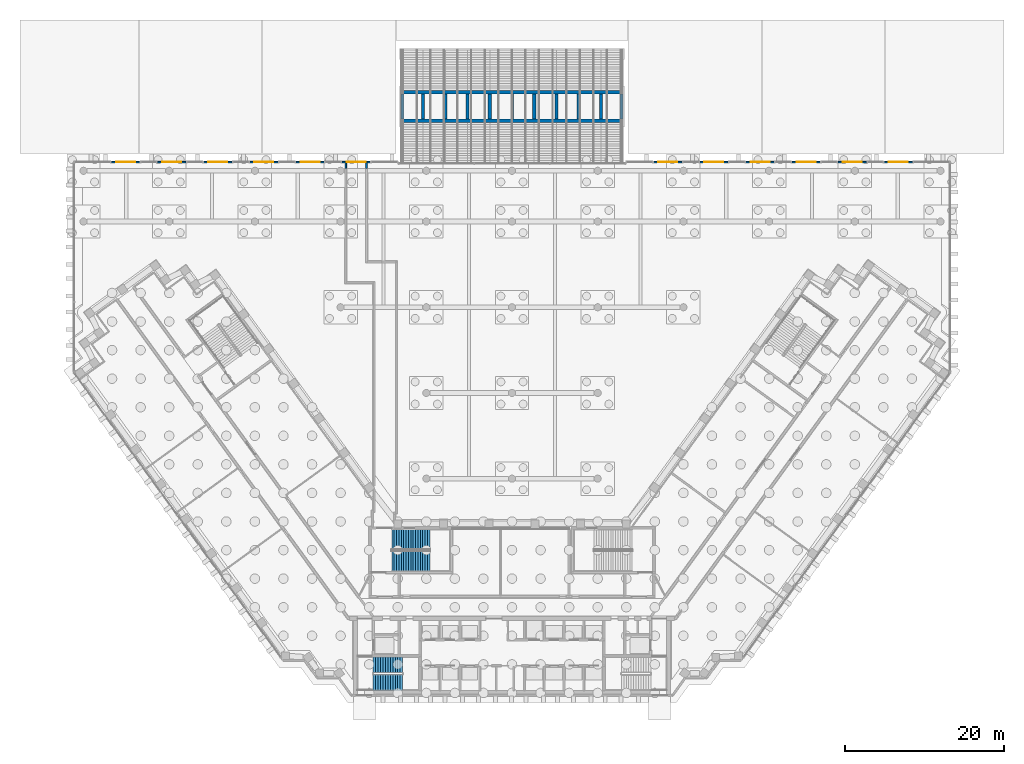
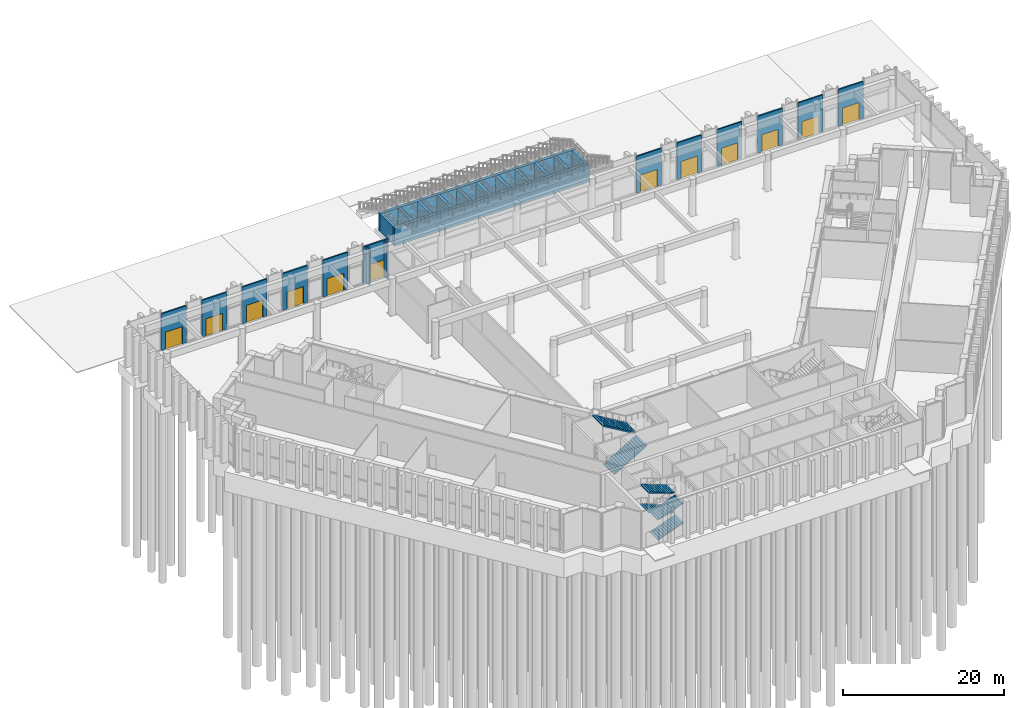
# One storey, part 22 of 32: 27 walls, 12 doors, 6 stair flights, 12 openings, 2 elements without a shape of their own.
"""IFC4 building model written with IfcOpenShell, lengths in metres."""

from ifc_helpers import new_model, si_unit, direction, frame, frame_2d, origin, place, context, subcontext, project, spatial, polyline, rectangle, outline, extrude, material, layer, layer_set, type_object, element, fill, aggregate, save


model = new_model("IFC4")

# Units and contexts
model_context = context("Model", 3, precision=1e-05, world=origin(), true_north=direction((0.0, 1.0)))
body_context = subcontext(model_context, "Body", "Model", "MODEL_VIEW")
ifc_project = project(units=[si_unit("LENGTHUNIT", "METRE"), si_unit("AREAUNIT", "SQUARE_METRE"), si_unit("VOLUMEUNIT", "CUBIC_METRE"), si_unit("PLANEANGLEUNIT", "RADIAN"), si_unit("MASSUNIT", "GRAM", prefix="KILO")], contexts=[model_context])

# Site, building, storey
site_placement = place(None, origin())
site = spatial("IfcSite", under=ifc_project, at=site_placement, CompositionType="ELEMENT")
building_placement = place(site_placement, origin())
building = spatial("IfcBuilding", under=site, at=building_placement, Name="Quipu Civic Tower", CompositionType="ELEMENT")
storey_placement = place(building_placement, origin())
storey = spatial("IfcBuildingStorey", under=building, at=storey_placement, Name="L00", CompositionType="ELEMENT", Elevation=0.0)

# Walls
ifc_material_1 = material(Name="Concrete C40/50", Category="concrete")
ifc_layer_1 = layer(ifc_material_1, 0.199951171875)
ifc_layer_set_1 = layer_set([ifc_layer_1], Name="Concrete C40/50")
wall_type_1 = type_object("IfcWallType", Name="Exit passage wall 200", PredefinedType="SOLIDWALL", material=ifc_layer_set_1)
for number, where, z_axis, x_axis, name in (
    (1, (-20.93994140625, 55.300048828125, 0.0), (0.0, 0.0, 1.0), (0.0, 1.0, 0.0), "Exit passage 3 wall"),
    (2, (-18.340087890625, 55.300048828125, 0.0), (0.0, 0.0, 1.0), (0.0, 1.0, 0.0), "Exit passage 3 wall"),
):
    element("IfcWall", number, at=place(storey_placement, frame(where, z_axis=z_axis, x_axis=x_axis)), inside=storey, type_object=wall_type_1, Name=name, PredefinedType="SOLIDWALL", context=body_context, shape_type="SweptSolid", body=[
        extrude(rectangle(XDim=0.699951171875, YDim=0.199951171875, at=frame_2d((0.35009765625, 0.0))), origin(), (0.0, 0.0, 1.0), 5.60009765625),
    ])

# Wall, opening, door
ifc_material_2 = material(Name="Precast concrete C40/50", Category="concrete")
wall_type_2 = type_object("IfcWallType", Name="Precast door surround", PredefinedType="SOLIDWALL", material=ifc_material_2)
wall_1_placement = place(storey_placement, frame((46.885009765625, 56.10009765625, 0.0), z_axis=(0.0, 0.0, 1.0), x_axis=(1.0, 0.0, 0.0)))
wall_1 = element("IfcWall", 3, at=wall_1_placement, inside=storey, type_object=wall_type_2, Name="Door surround ED-L00-12", PredefinedType="SOLIDWALL", context=body_context, shape_type="SweptSolid", body=[
    extrude(rectangle(XDim=3.6064453125, YDim=0.199951171875, at=frame_2d((1.80322265625, 0.0))), origin(), (0.0, 0.0, 1.0), 5.60009765625),
])
opening_1_placement = place(wall_1_placement, frame((0.603271484375, 0.0, 0.0)))
opening_1 = element("IfcOpeningElement", 4, at=opening_1_placement, cuts=wall_1, Name="Opening ED-L00-12", PredefinedType="OPENING", context=body_context, shape_type="SweptSolid", body=[
    extrude(rectangle(XDim=2.39990234375, YDim=2.60009765625, at=frame_2d((1.199951171875, 1.300048828125))), frame((0.0, 0.10986328125, 0.0), z_axis=(0.0, -1.0, 0.0), x_axis=(1.0, 0.0, 0.0)), (0.0, 0.0, 1.0), 0.219970703125),
])
ifc_material_3 = material(Name="Aluminium framed glazed door", Category="aluminium")
door_type = type_object("IfcDoorType", Name="Hall entrance door double leaf panic hardware", OperationType="DOUBLE_DOOR_SINGLE_SWING", PredefinedType="DOOR", material=ifc_material_3)
door_1_placement = place(opening_1_placement, origin())
door_1 = element("IfcDoor", 5, at=door_1_placement, inside=storey, type_object=door_type, Name="E1 door ED-L00-12", OperationType="DOUBLE_DOOR_SINGLE_SWING", OverallHeight=2.60009765625, OverallWidth=2.39990234375, PredefinedType="DOOR", context=body_context, shape_type="SweptSolid", body=[
    extrude(rectangle(XDim=2.39990234375, YDim=2.60009765625, at=frame_2d((1.199951171875, 1.300048828125))), frame((0.0, 0.02490234375, 0.0), z_axis=(0.0, -1.0, 0.0), x_axis=(1.0, 0.0, 0.0)), (0.0, 0.0, 1.0), 0.050048828125),
])
fill(opening_1, door_1)

wall_2_placement = place(storey_placement, frame((41.074462890625, 56.10009765625, 0.0), z_axis=(0.0, 0.0, 1.0), x_axis=(1.0, 0.0, 0.0)))
wall_2 = element("IfcWall", 6, at=wall_2_placement, inside=storey, type_object=wall_type_2, Name="Door surround ED-L00-11", PredefinedType="SOLIDWALL", context=body_context, shape_type="SweptSolid", body=[
    extrude(rectangle(XDim=3.6064453125, YDim=0.199951171875, at=frame_2d((1.80322265625, 0.0))), origin(), (0.0, 0.0, 1.0), 5.60009765625),
])
opening_2_placement = place(wall_2_placement, frame((0.603271484375, 0.0, 0.0)))
opening_2 = element("IfcOpeningElement", 7, at=opening_2_placement, cuts=wall_2, Name="Opening ED-L00-11", PredefinedType="OPENING", context=body_context, shape_type="SweptSolid", body=[
    extrude(rectangle(XDim=2.39990234375, YDim=2.60009765625, at=frame_2d((1.199951171875, 1.300048828125))), frame((0.0, 0.10986328125, 0.0), z_axis=(0.0, -1.0, 0.0), x_axis=(1.0, 0.0, 0.0)), (0.0, 0.0, 1.0), 0.219970703125),
])
door_2_placement = place(opening_2_placement, origin())
door_2 = element("IfcDoor", 8, at=door_2_placement, inside=storey, type_object=door_type, Name="E1 door ED-L00-11", OperationType="DOUBLE_DOOR_SINGLE_SWING", OverallHeight=2.60009765625, OverallWidth=2.39990234375, PredefinedType="DOOR", context=body_context, shape_type="SweptSolid", body=[
    extrude(rectangle(XDim=2.39990234375, YDim=2.60009765625, at=frame_2d((1.199951171875, 1.300048828125))), frame((0.0, 0.02490234375, 0.0), z_axis=(0.0, -1.0, 0.0), x_axis=(1.0, 0.0, 0.0)), (0.0, 0.0, 1.0), 0.050048828125),
])
fill(opening_2, door_2)

wall_3_placement = place(storey_placement, frame((35.263916015625, 56.10009765625, 0.0), z_axis=(0.0, 0.0, 1.0), x_axis=(1.0, 0.0, 0.0)))
wall_3 = element("IfcWall", 9, at=wall_3_placement, inside=storey, type_object=wall_type_2, Name="Door surround ED-L00-10", PredefinedType="SOLIDWALL", context=body_context, shape_type="SweptSolid", body=[
    extrude(rectangle(XDim=3.6064453125, YDim=0.199951171875, at=frame_2d((1.80322265625, 0.0))), origin(), (0.0, 0.0, 1.0), 5.60009765625),
])
opening_3_placement = place(wall_3_placement, frame((0.603271484375, 0.0, 0.0)))
opening_3 = element("IfcOpeningElement", 10, at=opening_3_placement, cuts=wall_3, Name="Opening ED-L00-10", PredefinedType="OPENING", context=body_context, shape_type="SweptSolid", body=[
    extrude(rectangle(XDim=2.39990234375, YDim=2.60009765625, at=frame_2d((1.199951171875, 1.300048828125))), frame((0.0, 0.10986328125, 0.0), z_axis=(0.0, -1.0, 0.0), x_axis=(1.0, 0.0, 0.0)), (0.0, 0.0, 1.0), 0.219970703125),
])
door_3_placement = place(opening_3_placement, origin())
door_3 = element("IfcDoor", 11, at=door_3_placement, inside=storey, type_object=door_type, Name="E1 door ED-L00-10", OperationType="DOUBLE_DOOR_SINGLE_SWING", OverallHeight=2.60009765625, OverallWidth=2.39990234375, PredefinedType="DOOR", context=body_context, shape_type="SweptSolid", body=[
    extrude(rectangle(XDim=2.39990234375, YDim=2.60009765625, at=frame_2d((1.199951171875, 1.300048828125))), frame((0.0, 0.02490234375, 0.0), z_axis=(0.0, -1.0, 0.0), x_axis=(1.0, 0.0, 0.0)), (0.0, 0.0, 1.0), 0.050048828125),
])
fill(opening_3, door_3)

wall_4_placement = place(storey_placement, frame((29.453369140625, 56.10009765625, 0.0), z_axis=(0.0, 0.0, 1.0), x_axis=(1.0, 0.0, 0.0)))
wall_4 = element("IfcWall", 12, at=wall_4_placement, inside=storey, type_object=wall_type_2, Name="Door surround ED-L00-9", PredefinedType="SOLIDWALL", context=body_context, shape_type="SweptSolid", body=[
    extrude(rectangle(XDim=3.6064453125, YDim=0.199951171875, at=frame_2d((1.80322265625, 0.0))), origin(), (0.0, 0.0, 1.0), 5.60009765625),
])
opening_4_placement = place(wall_4_placement, frame((0.603271484375, 0.0, 0.0)))
opening_4 = element("IfcOpeningElement", 13, at=opening_4_placement, cuts=wall_4, Name="Opening ED-L00-9", PredefinedType="OPENING", context=body_context, shape_type="SweptSolid", body=[
    extrude(rectangle(XDim=2.39990234375, YDim=2.60009765625, at=frame_2d((1.199951171875, 1.300048828125))), frame((0.0, 0.10986328125, 0.0), z_axis=(0.0, -1.0, 0.0), x_axis=(1.0, 0.0, 0.0)), (0.0, 0.0, 1.0), 0.219970703125),
])
door_4_placement = place(opening_4_placement, origin())
door_4 = element("IfcDoor", 14, at=door_4_placement, inside=storey, type_object=door_type, Name="E1 door ED-L00-9", OperationType="DOUBLE_DOOR_SINGLE_SWING", OverallHeight=2.60009765625, OverallWidth=2.39990234375, PredefinedType="DOOR", context=body_context, shape_type="SweptSolid", body=[
    extrude(rectangle(XDim=2.39990234375, YDim=2.60009765625, at=frame_2d((1.199951171875, 1.300048828125))), frame((0.0, 0.02490234375, 0.0), z_axis=(0.0, -1.0, 0.0), x_axis=(1.0, 0.0, 0.0)), (0.0, 0.0, 1.0), 0.050048828125),
])
fill(opening_4, door_4)

wall_5_placement = place(storey_placement, frame((23.642822265625, 56.10009765625, 0.0), z_axis=(0.0, 0.0, 1.0), x_axis=(1.0, 0.0, 0.0)))
wall_5 = element("IfcWall", 15, at=wall_5_placement, inside=storey, type_object=wall_type_2, Name="Door surround ED-L00-8", PredefinedType="SOLIDWALL", context=body_context, shape_type="SweptSolid", body=[
    extrude(rectangle(XDim=3.6064453125, YDim=0.199951171875, at=frame_2d((1.80322265625, 0.0))), origin(), (0.0, 0.0, 1.0), 5.60009765625),
])
opening_5_placement = place(wall_5_placement, frame((0.603271484375, 0.0, 0.0)))
opening_5 = element("IfcOpeningElement", 16, at=opening_5_placement, cuts=wall_5, Name="Opening ED-L00-8", PredefinedType="OPENING", context=body_context, shape_type="SweptSolid", body=[
    extrude(rectangle(XDim=2.39990234375, YDim=2.60009765625, at=frame_2d((1.199951171875, 1.300048828125))), frame((0.0, 0.10986328125, 0.0), z_axis=(0.0, -1.0, 0.0), x_axis=(1.0, 0.0, 0.0)), (0.0, 0.0, 1.0), 0.219970703125),
])
door_5_placement = place(opening_5_placement, origin())
door_5 = element("IfcDoor", 17, at=door_5_placement, inside=storey, type_object=door_type, Name="E1 door ED-L00-8", OperationType="DOUBLE_DOOR_SINGLE_SWING", OverallHeight=2.60009765625, OverallWidth=2.39990234375, PredefinedType="DOOR", context=body_context, shape_type="SweptSolid", body=[
    extrude(rectangle(XDim=2.39990234375, YDim=2.60009765625, at=frame_2d((1.199951171875, 1.300048828125))), frame((0.0, 0.02490234375, 0.0), z_axis=(0.0, -1.0, 0.0), x_axis=(1.0, 0.0, 0.0)), (0.0, 0.0, 1.0), 0.050048828125),
])
fill(opening_5, door_5)

wall_6_placement = place(storey_placement, frame((17.832275390625, 56.10009765625, 0.0), z_axis=(0.0, 0.0, 1.0), x_axis=(1.0, 0.0, 0.0)))
wall_6 = element("IfcWall", 18, at=wall_6_placement, inside=storey, type_object=wall_type_2, Name="Door surround ED-L00-7", PredefinedType="SOLIDWALL", context=body_context, shape_type="SweptSolid", body=[
    extrude(rectangle(XDim=3.6064453125, YDim=0.199951171875, at=frame_2d((1.80322265625, 0.0))), origin(), (0.0, 0.0, 1.0), 5.60009765625),
])
opening_6_placement = place(wall_6_placement, frame((0.603271484375, 0.0, 0.0)))
opening_6 = element("IfcOpeningElement", 19, at=opening_6_placement, cuts=wall_6, Name="Opening ED-L00-7", PredefinedType="OPENING", context=body_context, shape_type="SweptSolid", body=[
    extrude(rectangle(XDim=2.39990234375, YDim=2.60009765625, at=frame_2d((1.199951171875, 1.300048828125))), frame((0.0, 0.10986328125, 0.0), z_axis=(0.0, -1.0, 0.0), x_axis=(1.0, 0.0, 0.0)), (0.0, 0.0, 1.0), 0.219970703125),
])
door_6_placement = place(opening_6_placement, origin())
door_6 = element("IfcDoor", 20, at=door_6_placement, inside=storey, type_object=door_type, Name="E1 door ED-L00-7", OperationType="DOUBLE_DOOR_SINGLE_SWING", OverallHeight=2.60009765625, OverallWidth=2.39990234375, PredefinedType="DOOR", context=body_context, shape_type="SweptSolid", body=[
    extrude(rectangle(XDim=2.39990234375, YDim=2.60009765625, at=frame_2d((1.199951171875, 1.300048828125))), frame((0.0, 0.02490234375, 0.0), z_axis=(0.0, -1.0, 0.0), x_axis=(1.0, 0.0, 0.0)), (0.0, 0.0, 1.0), 0.050048828125),
])
fill(opening_6, door_6)

wall_7_placement = place(storey_placement, frame((-21.438720703125, 56.10009765625, 0.0), z_axis=(0.0, 0.0, 1.0), x_axis=(1.0, 0.0, 0.0)))
wall_7 = element("IfcWall", 21, at=wall_7_placement, inside=storey, type_object=wall_type_2, Name="Door surround ED-L00-6", PredefinedType="SOLIDWALL", context=body_context, shape_type="SweptSolid", body=[
    extrude(rectangle(XDim=3.6064453125, YDim=0.199951171875, at=frame_2d((1.80322265625, 0.0))), origin(), (0.0, 0.0, 1.0), 5.60009765625),
])
opening_7_placement = place(wall_7_placement, frame((0.603271484375, 0.0, 0.0)))
opening_7 = element("IfcOpeningElement", 22, at=opening_7_placement, cuts=wall_7, Name="Opening ED-L00-6", PredefinedType="OPENING", context=body_context, shape_type="SweptSolid", body=[
    extrude(rectangle(XDim=2.39990234375, YDim=2.60009765625, at=frame_2d((1.199951171875, 1.300048828125))), frame((0.0, 0.10986328125, 0.0), z_axis=(0.0, -1.0, 0.0), x_axis=(1.0, 0.0, 0.0)), (0.0, 0.0, 1.0), 0.219970703125),
])
door_7_placement = place(opening_7_placement, origin())
door_7 = element("IfcDoor", 23, at=door_7_placement, inside=storey, type_object=door_type, Name="E1 door ED-L00-6", OperationType="DOUBLE_DOOR_SINGLE_SWING", OverallHeight=2.60009765625, OverallWidth=2.39990234375, PredefinedType="DOOR", context=body_context, shape_type="SweptSolid", body=[
    extrude(rectangle(XDim=2.39990234375, YDim=2.60009765625, at=frame_2d((1.199951171875, 1.300048828125))), frame((0.0, 0.02490234375, 0.0), z_axis=(0.0, -1.0, 0.0), x_axis=(1.0, 0.0, 0.0)), (0.0, 0.0, 1.0), 0.050048828125),
])
fill(opening_7, door_7)

wall_8_placement = place(storey_placement, frame((-27.249267578125, 56.10009765625, 0.0), z_axis=(0.0, 0.0, 1.0), x_axis=(1.0, 0.0, 0.0)))
wall_8 = element("IfcWall", 24, at=wall_8_placement, inside=storey, type_object=wall_type_2, Name="Door surround ED-L00-5", PredefinedType="SOLIDWALL", context=body_context, shape_type="SweptSolid", body=[
    extrude(rectangle(XDim=3.6064453125, YDim=0.199951171875, at=frame_2d((1.80322265625, 0.0))), origin(), (0.0, 0.0, 1.0), 5.60009765625),
])
opening_8_placement = place(wall_8_placement, frame((0.603271484375, 0.0, 0.0)))
opening_8 = element("IfcOpeningElement", 25, at=opening_8_placement, cuts=wall_8, Name="Opening ED-L00-5", PredefinedType="OPENING", context=body_context, shape_type="SweptSolid", body=[
    extrude(rectangle(XDim=2.39990234375, YDim=2.60009765625, at=frame_2d((1.199951171875, 1.300048828125))), frame((0.0, 0.10986328125, 0.0), z_axis=(0.0, -1.0, 0.0), x_axis=(1.0, 0.0, 0.0)), (0.0, 0.0, 1.0), 0.219970703125),
])
door_8_placement = place(opening_8_placement, origin())
door_8 = element("IfcDoor", 26, at=door_8_placement, inside=storey, type_object=door_type, Name="E1 door ED-L00-5", OperationType="DOUBLE_DOOR_SINGLE_SWING", OverallHeight=2.60009765625, OverallWidth=2.39990234375, PredefinedType="DOOR", context=body_context, shape_type="SweptSolid", body=[
    extrude(rectangle(XDim=2.39990234375, YDim=2.60009765625, at=frame_2d((1.199951171875, 1.300048828125))), frame((0.0, 0.02490234375, 0.0), z_axis=(0.0, -1.0, 0.0), x_axis=(1.0, 0.0, 0.0)), (0.0, 0.0, 1.0), 0.050048828125),
])
fill(opening_8, door_8)

wall_9_placement = place(storey_placement, frame((-33.059814453125, 56.10009765625, 0.0), z_axis=(0.0, 0.0, 1.0), x_axis=(1.0, 0.0, 0.0)))
wall_9 = element("IfcWall", 27, at=wall_9_placement, inside=storey, type_object=wall_type_2, Name="Door surround ED-L00-4", PredefinedType="SOLIDWALL", context=body_context, shape_type="SweptSolid", body=[
    extrude(rectangle(XDim=3.6064453125, YDim=0.199951171875, at=frame_2d((1.80322265625, 0.0))), origin(), (0.0, 0.0, 1.0), 5.60009765625),
])
opening_9_placement = place(wall_9_placement, frame((0.603271484375, 0.0, 0.0)))
opening_9 = element("IfcOpeningElement", 28, at=opening_9_placement, cuts=wall_9, Name="Opening ED-L00-4", PredefinedType="OPENING", context=body_context, shape_type="SweptSolid", body=[
    extrude(rectangle(XDim=2.39990234375, YDim=2.60009765625, at=frame_2d((1.199951171875, 1.300048828125))), frame((0.0, 0.10986328125, 0.0), z_axis=(0.0, -1.0, 0.0), x_axis=(1.0, 0.0, 0.0)), (0.0, 0.0, 1.0), 0.219970703125),
])
door_9_placement = place(opening_9_placement, origin())
door_9 = element("IfcDoor", 29, at=door_9_placement, inside=storey, type_object=door_type, Name="E1 door ED-L00-4", OperationType="DOUBLE_DOOR_SINGLE_SWING", OverallHeight=2.60009765625, OverallWidth=2.39990234375, PredefinedType="DOOR", context=body_context, shape_type="SweptSolid", body=[
    extrude(rectangle(XDim=2.39990234375, YDim=2.60009765625, at=frame_2d((1.199951171875, 1.300048828125))), frame((0.0, 0.02490234375, 0.0), z_axis=(0.0, -1.0, 0.0), x_axis=(1.0, 0.0, 0.0)), (0.0, 0.0, 1.0), 0.050048828125),
])
fill(opening_9, door_9)

wall_10_placement = place(storey_placement, frame((-38.870361328125, 56.10009765625, 0.0), z_axis=(0.0, 0.0, 1.0), x_axis=(1.0, 0.0, 0.0)))
wall_10 = element("IfcWall", 30, at=wall_10_placement, inside=storey, type_object=wall_type_2, Name="Door surround ED-L00-3", PredefinedType="SOLIDWALL", context=body_context, shape_type="SweptSolid", body=[
    extrude(rectangle(XDim=3.6064453125, YDim=0.199951171875, at=frame_2d((1.80322265625, 0.0))), origin(), (0.0, 0.0, 1.0), 5.60009765625),
])
opening_10_placement = place(wall_10_placement, frame((0.603271484375, 0.0, 0.0)))
opening_10 = element("IfcOpeningElement", 31, at=opening_10_placement, cuts=wall_10, Name="Opening ED-L00-3", PredefinedType="OPENING", context=body_context, shape_type="SweptSolid", body=[
    extrude(rectangle(XDim=2.39990234375, YDim=2.60009765625, at=frame_2d((1.199951171875, 1.300048828125))), frame((0.0, 0.10986328125, 0.0), z_axis=(0.0, -1.0, 0.0), x_axis=(1.0, 0.0, 0.0)), (0.0, 0.0, 1.0), 0.219970703125),
])
door_10_placement = place(opening_10_placement, origin())
door_10 = element("IfcDoor", 32, at=door_10_placement, inside=storey, type_object=door_type, Name="E1 door ED-L00-3", OperationType="DOUBLE_DOOR_SINGLE_SWING", OverallHeight=2.60009765625, OverallWidth=2.39990234375, PredefinedType="DOOR", context=body_context, shape_type="SweptSolid", body=[
    extrude(rectangle(XDim=2.39990234375, YDim=2.60009765625, at=frame_2d((1.199951171875, 1.300048828125))), frame((0.0, 0.02490234375, 0.0), z_axis=(0.0, -1.0, 0.0), x_axis=(1.0, 0.0, 0.0)), (0.0, 0.0, 1.0), 0.050048828125),
])
fill(opening_10, door_10)

wall_11_placement = place(storey_placement, frame((-44.680908203125, 56.10009765625, 0.0), z_axis=(0.0, 0.0, 1.0), x_axis=(1.0, 0.0, 0.0)))
wall_11 = element("IfcWall", 33, at=wall_11_placement, inside=storey, type_object=wall_type_2, Name="Door surround ED-L00-2", PredefinedType="SOLIDWALL", context=body_context, shape_type="SweptSolid", body=[
    extrude(rectangle(XDim=3.6064453125, YDim=0.199951171875, at=frame_2d((1.80322265625, 0.0))), origin(), (0.0, 0.0, 1.0), 5.60009765625),
])
opening_11_placement = place(wall_11_placement, frame((0.603271484375, 0.0, 0.0)))
opening_11 = element("IfcOpeningElement", 34, at=opening_11_placement, cuts=wall_11, Name="Opening ED-L00-2", PredefinedType="OPENING", context=body_context, shape_type="SweptSolid", body=[
    extrude(rectangle(XDim=2.39990234375, YDim=2.60009765625, at=frame_2d((1.199951171875, 1.300048828125))), frame((0.0, 0.10986328125, 0.0), z_axis=(0.0, -1.0, 0.0), x_axis=(1.0, 0.0, 0.0)), (0.0, 0.0, 1.0), 0.219970703125),
])
door_11_placement = place(opening_11_placement, origin())
door_11 = element("IfcDoor", 35, at=door_11_placement, inside=storey, type_object=door_type, Name="E1 door ED-L00-2", OperationType="DOUBLE_DOOR_SINGLE_SWING", OverallHeight=2.60009765625, OverallWidth=2.39990234375, PredefinedType="DOOR", context=body_context, shape_type="SweptSolid", body=[
    extrude(rectangle(XDim=2.39990234375, YDim=2.60009765625, at=frame_2d((1.199951171875, 1.300048828125))), frame((0.0, 0.02490234375, 0.0), z_axis=(0.0, -1.0, 0.0), x_axis=(1.0, 0.0, 0.0)), (0.0, 0.0, 1.0), 0.050048828125),
])
fill(opening_11, door_11)

wall_12_placement = place(storey_placement, frame((-50.491455078125, 56.10009765625, 0.0), z_axis=(0.0, 0.0, 1.0), x_axis=(1.0, 0.0, 0.0)))
wall_12 = element("IfcWall", 36, at=wall_12_placement, inside=storey, type_object=wall_type_2, Name="Door surround ED-L00-1", PredefinedType="SOLIDWALL", context=body_context, shape_type="SweptSolid", body=[
    extrude(rectangle(XDim=3.6064453125, YDim=0.199951171875, at=frame_2d((1.80322265625, 0.0))), origin(), (0.0, 0.0, 1.0), 5.60009765625),
])
opening_12_placement = place(wall_12_placement, frame((0.603271484375, 0.0, 0.0)))
opening_12 = element("IfcOpeningElement", 37, at=opening_12_placement, cuts=wall_12, Name="Opening ED-L00-1", PredefinedType="OPENING", context=body_context, shape_type="SweptSolid", body=[
    extrude(rectangle(XDim=2.39990234375, YDim=2.60009765625, at=frame_2d((1.199951171875, 1.300048828125))), frame((0.0, 0.10986328125, 0.0), z_axis=(0.0, -1.0, 0.0), x_axis=(1.0, 0.0, 0.0)), (0.0, 0.0, 1.0), 0.219970703125),
])
door_12_placement = place(opening_12_placement, origin())
door_12 = element("IfcDoor", 38, at=door_12_placement, inside=storey, type_object=door_type, Name="E1 door ED-L00-1", OperationType="DOUBLE_DOOR_SINGLE_SWING", OverallHeight=2.60009765625, OverallWidth=2.39990234375, PredefinedType="DOOR", context=body_context, shape_type="SweptSolid", body=[
    extrude(rectangle(XDim=2.39990234375, YDim=2.60009765625, at=frame_2d((1.199951171875, 1.300048828125))), frame((0.0, 0.02490234375, 0.0), z_axis=(0.0, -1.0, 0.0), x_axis=(1.0, 0.0, 0.0)), (0.0, 0.0, 1.0), 0.050048828125),
])
fill(opening_12, door_12)

# Walls
ifc_material_4 = material(Name="Concrete C70/85", Category="concrete")
ifc_layer_2 = layer(ifc_material_4, 0.39990234375)
ifc_layer_set_2 = layer_set([ifc_layer_2], Name="Concrete C70/85")
wall_type_3 = type_object("IfcWallType", Name="Stair support wall 400", PredefinedType="SHEAR", material=ifc_layer_set_2)
for number, where, z_axis, x_axis, name in (
    (39, (-14.0, 64.89990234375, 0.0), (0.0, 0.0, 1.0), (1.0, 0.0, 0.0), "Stair support wall"),
    (40, (-14.0, 61.300048828125, 0.0), (0.0, 0.0, 1.0), (1.0, 0.0, 0.0), "Stair support wall"),
):
    element("IfcWall", number, at=place(storey_placement, frame(where, z_axis=z_axis, x_axis=x_axis)), inside=storey, type_object=wall_type_3, Name=name, PredefinedType="SHEAR", context=body_context, shape_type="SweptSolid", body=[
        extrude(rectangle(XDim=28.0, YDim=0.39990234375, at=frame_2d((14.0, 0.0))), origin(), (0.0, 0.0, 1.0), 2.75),
    ])
for number, where, z_axis, x_axis, name in (
    (41, (-13.800048828125, 61.5, 0.0), (0.0, 0.0, 1.0), (0.0, 1.0, 0.0), "Stair support wall"),
    (42, (-11.199951171875, 61.5, 0.0), (0.0, 0.0, 1.0), (0.0, 1.0, 0.0), "Stair support wall"),
    (43, (-8.39990234375, 61.5, 0.0), (0.0, 0.0, 1.0), (0.0, 1.0, 0.0), "Stair support wall"),
    (44, (-5.60009765625, 61.5, 0.0), (0.0, 0.0, 1.0), (0.0, 1.0, 0.0), "Stair support wall"),
    (45, (-2.800048828125, 61.5, 0.0), (0.0, 0.0, 1.0), (0.0, 1.0, 0.0), "Stair support wall"),
    (46, (0.0, 61.5, 0.0), (0.0, 0.0, 1.0), (0.0, 1.0, 0.0), "Stair support wall"),
    (47, (2.800048828125, 61.5, 0.0), (0.0, 0.0, 1.0), (0.0, 1.0, 0.0), "Stair support wall"),
    (48, (5.60009765625, 61.5, 0.0), (0.0, 0.0, 1.0), (0.0, 1.0, 0.0), "Stair support wall"),
    (49, (8.39990234375, 61.5, 0.0), (0.0, 0.0, 1.0), (0.0, 1.0, 0.0), "Stair support wall"),
    (50, (11.199951171875, 61.5, 0.0), (0.0, 0.0, 1.0), (0.0, 1.0, 0.0), "Stair support wall"),
    (51, (13.800048828125, 61.5, 0.0), (0.0, 0.0, 1.0), (0.0, 1.0, 0.0), "Stair support wall"),
):
    element("IfcWall", number, at=place(storey_placement, frame(where, z_axis=z_axis, x_axis=x_axis)), inside=storey, type_object=wall_type_3, Name=name, PredefinedType="SHEAR", context=body_context, shape_type="SweptSolid", body=[
        extrude(rectangle(XDim=3.199951171875, YDim=0.39990234375, at=frame_2d((1.60009765625, 0.0))), origin(), (0.0, 0.0, 1.0), 2.75),
    ])

# Stair, stair flights
ifc_material_5 = material(Name="Concrete C40/50", Category="concrete")
stair_type_1 = type_object("IfcStairType", Name="Half turn stair 2000", PredefinedType="HALF_TURN_STAIR", material=ifc_material_5)
stair_1_placement = place(storey_placement, origin())
stair_1 = element("IfcStair", 52, at=stair_1_placement, inside=storey, type_object=stair_type_1, Name="Exit stair 1", PredefinedType="HALF_TURN_STAIR")
ifc_material_6 = material(Name="Concrete C40/50", Category="concrete")
stair_flight_type_1 = type_object("IfcStairFlightType", Name="Stair flight 2000", PredefinedType="STRAIGHT", material=ifc_material_6)
stair_flight_1_placement = place(storey_placement, frame((-17.5, -9.5, 0.0), z_axis=(0.0, 0.0, 1.0), x_axis=(1.0, 0.0, 0.0)))
stair_flight_1 = element("IfcStairFlight", 53, at=stair_flight_1_placement, type_object=stair_flight_type_1, Name="ST-1 flight 1", NumberOfRisers=13, NumberOfTreads=12, PredefinedType="STRAIGHT", RiserHeight=0.115384615, TreadLength=0.31, context=body_context, shape_type="SweptSolid", body=[
    extrude(outline(polyline([(0.0, 0.0), (0.0, 0.115478515625), (0.31005859375, 0.115478515625), (0.31005859375, 0.230712890625), (0.6201171875, 0.230712890625), (0.6201171875, 0.34619140625), (0.929931640625, 0.34619140625), (0.929931640625, 0.46142578125), (1.239990234375, 0.46142578125), (1.239990234375, 0.576904296875), (1.550048828125, 0.576904296875), (1.550048828125, 0.6923828125), (1.860107421875, 0.6923828125), (1.860107421875, 0.8076171875), (2.169921875, 0.8076171875), (2.169921875, 0.923095703125), (2.47998046875, 0.923095703125), (2.47998046875, 1.03857421875), (2.7900390625, 1.03857421875), (2.7900390625, 1.15380859375), (3.10009765625, 1.15380859375), (3.10009765625, 1.269287109375), (3.409912109375, 1.269287109375), (3.409912109375, 1.384521484375), (3.719970703125, 1.384521484375), (3.719970703125, 1.5), (3.719970703125, 1.224609375), (0.4296875, 0.0), (0.0, 0.0)])), frame((0.0, 1.0, 0.0), z_axis=(0.0, -1.0, 0.0), x_axis=(1.0, 0.0, 0.0)), (0.0, 0.0, 1.0), 2.0),
])
stair_flight_2_placement = place(storey_placement, frame((-13.780029296875, -7.25, 1.5), z_axis=(0.0, 0.0, 1.0), x_axis=(-1.0, 0.0, 0.0)))
stair_flight_2 = element("IfcStairFlight", 54, at=stair_flight_2_placement, type_object=stair_flight_type_1, Name="ST-1 flight 2", NumberOfRisers=13, NumberOfTreads=12, PredefinedType="STRAIGHT", RiserHeight=0.115384615, TreadLength=0.31, context=body_context, shape_type="SweptSolid", body=[
    extrude(outline(polyline([(0.0, 0.0), (0.0, 0.115478515625), (0.31005859375, 0.115478515625), (0.31005859375, 0.230712890625), (0.6201171875, 0.230712890625), (0.6201171875, 0.34619140625), (0.929931640625, 0.34619140625), (0.929931640625, 0.46142578125), (1.239990234375, 0.46142578125), (1.239990234375, 0.576904296875), (1.550048828125, 0.576904296875), (1.550048828125, 0.6923828125), (1.860107421875, 0.6923828125), (1.860107421875, 0.8076171875), (2.169921875, 0.8076171875), (2.169921875, 0.923095703125), (2.47998046875, 0.923095703125), (2.47998046875, 1.03857421875), (2.7900390625, 1.03857421875), (2.7900390625, 1.15380859375), (3.10009765625, 1.15380859375), (3.10009765625, 1.269287109375), (3.409912109375, 1.269287109375), (3.409912109375, 1.384521484375), (3.719970703125, 1.384521484375), (3.719970703125, 1.5), (3.719970703125, 1.224609375), (0.4296875, 0.0), (0.0, 0.0)])), frame((0.0, 1.0, 0.0), z_axis=(0.0, -1.0, 0.0), x_axis=(1.0, 0.0, 0.0)), (0.0, 0.0, 1.0), 2.0),
])
stair_flight_3_placement = place(storey_placement, frame((-17.5, -9.5, 3.0), z_axis=(0.0, 0.0, 1.0), x_axis=(1.0, 0.0, 0.0)))
stair_flight_3 = element("IfcStairFlight", 55, at=stair_flight_3_placement, type_object=stair_flight_type_1, Name="ST-1 flight 3", NumberOfRisers=13, NumberOfTreads=12, PredefinedType="STRAIGHT", RiserHeight=0.115384615, TreadLength=0.31, context=body_context, shape_type="SweptSolid", body=[
    extrude(outline(polyline([(0.0, 0.0), (0.0, 0.115478515625), (0.31005859375, 0.115478515625), (0.31005859375, 0.230712890625), (0.6201171875, 0.230712890625), (0.6201171875, 0.34619140625), (0.929931640625, 0.34619140625), (0.929931640625, 0.46142578125), (1.239990234375, 0.46142578125), (1.239990234375, 0.576904296875), (1.550048828125, 0.576904296875), (1.550048828125, 0.6923828125), (1.860107421875, 0.6923828125), (1.860107421875, 0.8076171875), (2.169921875, 0.8076171875), (2.169921875, 0.923095703125), (2.47998046875, 0.923095703125), (2.47998046875, 1.03857421875), (2.7900390625, 1.03857421875), (2.7900390625, 1.15380859375), (3.10009765625, 1.15380859375), (3.10009765625, 1.269287109375), (3.409912109375, 1.269287109375), (3.409912109375, 1.384521484375), (3.719970703125, 1.384521484375), (3.719970703125, 1.5), (3.719970703125, 1.224609375), (0.4296875, 0.0), (0.0, 0.0)])), frame((0.0, 1.0, 0.0), z_axis=(0.0, -1.0, 0.0), x_axis=(1.0, 0.0, 0.0)), (0.0, 0.0, 1.0), 2.0),
])
stair_flight_4_placement = place(storey_placement, frame((-13.780029296875, -7.25, 4.5), z_axis=(0.0, 0.0, 1.0), x_axis=(-1.0, 0.0, 0.0)))
stair_flight_4 = element("IfcStairFlight", 56, at=stair_flight_4_placement, type_object=stair_flight_type_1, Name="ST-1 flight 4", NumberOfRisers=13, NumberOfTreads=12, PredefinedType="STRAIGHT", RiserHeight=0.115384615, TreadLength=0.31, context=body_context, shape_type="SweptSolid", body=[
    extrude(outline(polyline([(0.0, 0.0), (0.0, 0.115478515625), (0.31005859375, 0.115478515625), (0.31005859375, 0.230712890625), (0.6201171875, 0.230712890625), (0.6201171875, 0.34619140625), (0.929931640625, 0.34619140625), (0.929931640625, 0.46142578125), (1.239990234375, 0.46142578125), (1.239990234375, 0.576904296875), (1.550048828125, 0.576904296875), (1.550048828125, 0.6923828125), (1.860107421875, 0.6923828125), (1.860107421875, 0.8076171875), (2.169921875, 0.8076171875), (2.169921875, 0.923095703125), (2.47998046875, 0.923095703125), (2.47998046875, 1.03857421875), (2.7900390625, 1.03857421875), (2.7900390625, 1.15380859375), (3.10009765625, 1.15380859375), (3.10009765625, 1.269287109375), (3.409912109375, 1.269287109375), (3.409912109375, 1.384521484375), (3.719970703125, 1.384521484375), (3.719970703125, 1.5), (3.719970703125, 1.224609375), (0.4296875, 0.0), (0.0, 0.0)])), frame((0.0, 1.0, 0.0), z_axis=(0.0, -1.0, 0.0), x_axis=(1.0, 0.0, 0.0)), (0.0, 0.0, 1.0), 2.0),
])
aggregate(stair_1, [stair_flight_1, stair_flight_2, stair_flight_3, stair_flight_4])

ifc_material_7 = material(Name="Concrete C40/50", Category="concrete")
stair_type_2 = type_object("IfcStairType", Name="Half turn stair 2600", PredefinedType="HALF_TURN_STAIR", material=ifc_material_7)
stair_2_placement = place(storey_placement, origin())
stair_2 = element("IfcStair", 57, at=stair_2_placement, inside=storey, type_object=stair_type_2, Name="Exit stair 3", PredefinedType="HALF_TURN_STAIR")
ifc_material_8 = material(Name="Concrete C40/50", Category="concrete")
stair_flight_type_2 = type_object("IfcStairFlightType", Name="Stair flight 2600", PredefinedType="STRAIGHT", material=ifc_material_8)
stair_flight_5_placement = place(storey_placement, frame((-15.14990234375, 5.800048828125, 0.0), z_axis=(0.0, 0.0, 1.0), x_axis=(1.0, 0.0, 0.0)))
stair_flight_5 = element("IfcStairFlight", 58, at=stair_flight_5_placement, type_object=stair_flight_type_2, Name="ST-3 flight 1", NumberOfRisers=17, NumberOfTreads=16, PredefinedType="STRAIGHT", RiserHeight=0.176470588, TreadLength=0.3, context=body_context, shape_type="SweptSolid", body=[
    extrude(outline(polyline([(0.0, 0.0), (0.0, 0.176513671875), (0.300048828125, 0.176513671875), (0.300048828125, 0.35302734375), (0.60009765625, 0.35302734375), (0.60009765625, 0.529296875), (0.89990234375, 0.529296875), (0.89990234375, 0.705810546875), (1.199951171875, 0.705810546875), (1.199951171875, 0.88232421875), (1.5, 0.88232421875), (1.5, 1.058837890625), (1.800048828125, 1.058837890625), (1.800048828125, 1.2353515625), (2.10009765625, 1.2353515625), (2.10009765625, 1.411865234375), (2.39990234375, 1.411865234375), (2.39990234375, 1.588134765625), (2.699951171875, 1.588134765625), (2.699951171875, 1.7646484375), (3.0, 1.7646484375), (3.0, 1.941162109375), (3.300048828125, 1.941162109375), (3.300048828125, 2.11767578125), (3.60009765625, 2.11767578125), (3.60009765625, 2.294189453125), (3.89990234375, 2.294189453125), (3.89990234375, 2.470703125), (4.199951171875, 2.470703125), (4.199951171875, 2.64697265625), (4.5, 2.64697265625), (4.5, 2.823486328125), (4.800048828125, 2.823486328125), (4.800048828125, 3.0), (4.800048828125, 2.649658203125), (0.295654296875, 0.0), (0.0, 0.0)])), frame((0.0, 1.300048828125, 0.0), z_axis=(0.0, -1.0, 0.0), x_axis=(1.0, 0.0, 0.0)), (0.0, 0.0, 1.0), 2.60009765625),
])
stair_flight_6_placement = place(storey_placement, frame((-10.35009765625, 8.550048828125, 3.0), z_axis=(0.0, 0.0, 1.0), x_axis=(-1.0, 0.0, 0.0)))
stair_flight_6 = element("IfcStairFlight", 59, at=stair_flight_6_placement, type_object=stair_flight_type_2, Name="ST-3 flight 2", NumberOfRisers=17, NumberOfTreads=16, PredefinedType="STRAIGHT", RiserHeight=0.176470588, TreadLength=0.3, context=body_context, shape_type="SweptSolid", body=[
    extrude(outline(polyline([(0.0, 0.0), (0.0, 0.176513671875), (0.300048828125, 0.176513671875), (0.300048828125, 0.35302734375), (0.60009765625, 0.35302734375), (0.60009765625, 0.529296875), (0.89990234375, 0.529296875), (0.89990234375, 0.705810546875), (1.199951171875, 0.705810546875), (1.199951171875, 0.88232421875), (1.5, 0.88232421875), (1.5, 1.058837890625), (1.800048828125, 1.058837890625), (1.800048828125, 1.2353515625), (2.10009765625, 1.2353515625), (2.10009765625, 1.411865234375), (2.39990234375, 1.411865234375), (2.39990234375, 1.588134765625), (2.699951171875, 1.588134765625), (2.699951171875, 1.7646484375), (3.0, 1.7646484375), (3.0, 1.941162109375), (3.300048828125, 1.941162109375), (3.300048828125, 2.11767578125), (3.60009765625, 2.11767578125), (3.60009765625, 2.294189453125), (3.89990234375, 2.294189453125), (3.89990234375, 2.470703125), (4.199951171875, 2.470703125), (4.199951171875, 2.64697265625), (4.5, 2.64697265625), (4.5, 2.823486328125), (4.800048828125, 2.823486328125), (4.800048828125, 3.0), (4.800048828125, 2.649658203125), (0.295654296875, 0.0), (0.0, 0.0)])), frame((0.0, 1.300048828125, 0.0), z_axis=(0.0, -1.0, 0.0), x_axis=(1.0, 0.0, 0.0)), (0.0, 0.0, 1.0), 2.60009765625),
])
aggregate(stair_2, [stair_flight_5, stair_flight_6])

save(model, "model.ifc")
